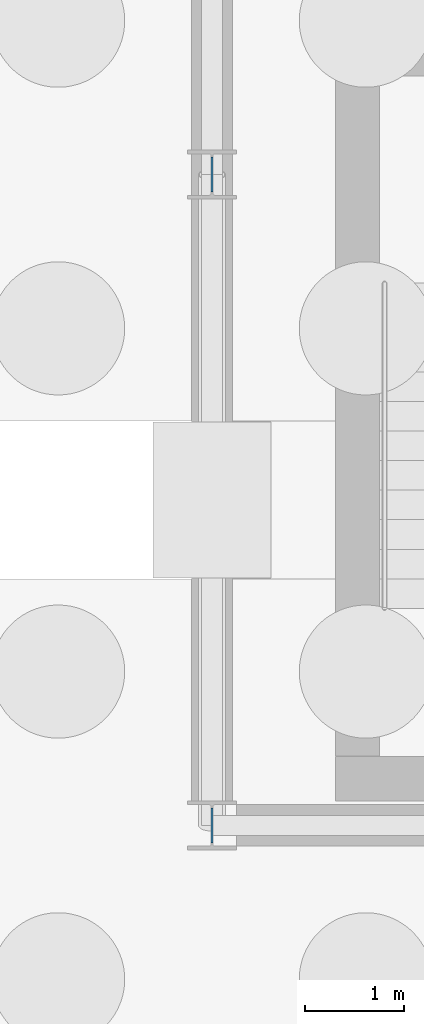
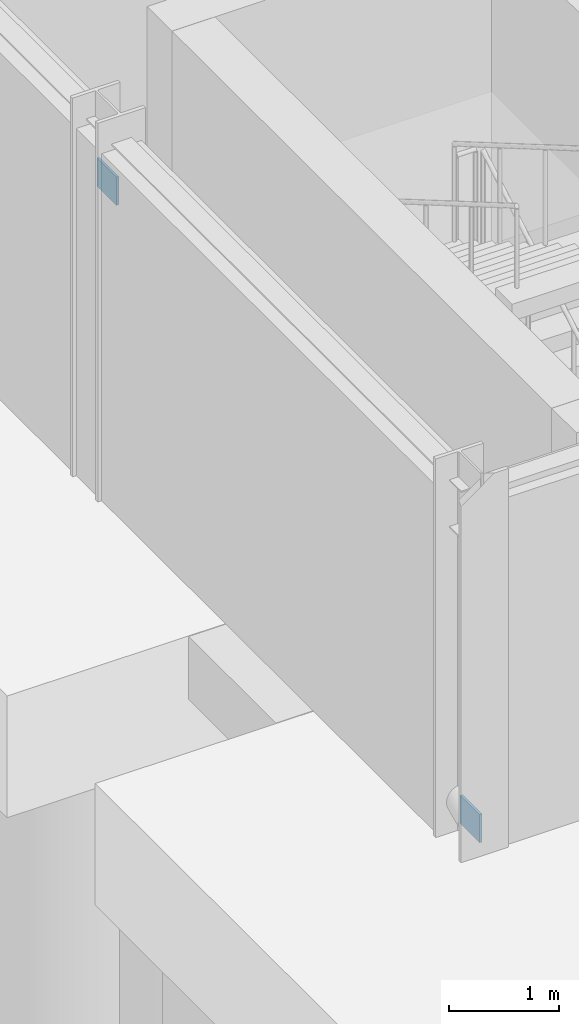
# One storey, part 35 of 58: 2 plates.
"""IFC4 building model written with IfcOpenShell, lengths in metres."""

import ifcopenshell
import ifcopenshell.guid

model = None  # the IFC model being written
_history = None  # IfcOwnerHistory: only IFC2X3 demands one
_inside = {}  # id of a spatial element -> (the spatial element, [elements in it])
_under = {}  # id of a project, library or spatial element -> (it, [spatial elements below it])
_declared = {}  # id of a project -> (the project, [libraries it declares])
_typed = {}  # id of a type object -> (the type object, [elements of that type])
_made_of = {}  # id of a material, layer set ... -> (it, [elements and type objects made of it])


def new_model(schema):
    """Start an empty IFC model of exactly this schema.

    Asked for "IFC4X3", IfcOpenShell would pick the latest addendum, in which some entities
    have other attributes; the version numbers below select the first issue.
    IFC2X3 requires an IfcOwnerHistory on every rooted entity: one is made here for all.
    """
    global model, _history
    if schema == "IFC4X3":
        model = ifcopenshell.file(schema_version=(4, 3, 0, 0))
    else:
        model = ifcopenshell.file(schema=schema)
    _inside.clear()
    _under.clear()
    _declared.clear()
    _typed.clear()
    _made_of.clear()
    _history = None
    if model.schema == "IFC2X3":
        org = make("IfcOrganization", Name="unknown")
        user = make(
            "IfcPersonAndOrganization",
            ThePerson=make("IfcPerson", FamilyName="unknown"),
            TheOrganization=org,
        )
        app = make(
            "IfcApplication",
            ApplicationDeveloper=org,
            Version="unknown",
            ApplicationFullName="unknown",
            ApplicationIdentifier="unknown",
        )
        _history = make(
            "IfcOwnerHistory",
            OwningUser=user,
            OwningApplication=app,
            ChangeAction="ADDED",
            CreationDate=0,
        )
    return model


def make(cls, **values):
    """One entity of the class cls with the attributes given. An attribute that is None is left unset."""
    return model.create_entity(
        cls, **{name: value for name, value in values.items() if value is not None}
    )


def rooted(cls, **values):
    """An entity with a GlobalId (a new one), such as an element, a storey or a relation."""
    return make(cls, GlobalId=ifcopenshell.guid.new(), OwnerHistory=_history, **values)


def si_unit(unit_type, name, prefix=None):
    """IfcSIUnit, for example si_unit("LENGTHUNIT", "METRE", prefix="MILLI")."""
    return make("IfcSIUnit", UnitType=unit_type, Prefix=prefix, Name=name)


def assignment(units):
    """IfcUnitAssignment: the units of a project."""
    return None if units is None else make("IfcUnitAssignment", Units=units)


def point(xyz):
    """IfcCartesianPoint."""
    return None if xyz is None else make("IfcCartesianPoint", Coordinates=xyz)


def direction(xyz):
    """IfcDirection."""
    return None if xyz is None else make("IfcDirection", DirectionRatios=xyz)


def frame(location, z_axis=None, x_axis=None):
    """IfcAxis2Placement3D, a coordinate frame: its origin and axes. An axis left out is left unset."""
    return make(
        "IfcAxis2Placement3D",
        Location=point(location),
        Axis=direction(z_axis),
        RefDirection=direction(x_axis),
    )


def frame_2d(location, x_axis=None):
    """IfcAxis2Placement2D, a coordinate frame in the plane: its origin and x axis."""
    return make(
        "IfcAxis2Placement2D", Location=point(location), RefDirection=direction(x_axis)
    )


def origin():
    """The frame at (0, 0, 0) with its axes left unset."""
    return frame((0.0, 0.0, 0.0))


def origin_2d():
    """The frame at (0, 0) in the plane with its x axis left unset."""
    return frame_2d((0.0, 0.0))


def place(relative_to, where):
    """IfcLocalPlacement: puts the frame where relative to a parent placement (None: the world)."""
    return make(
        "IfcLocalPlacement", PlacementRelTo=relative_to, RelativePlacement=where
    )


def context(
    kind, dimensions, precision=None, world=None, true_north=None, identifier=None
):
    """IfcGeometricRepresentationContext, for example the 3D "Model" context."""
    return make(
        "IfcGeometricRepresentationContext",
        ContextIdentifier=identifier,
        ContextType=kind,
        CoordinateSpaceDimension=dimensions,
        Precision=precision,
        WorldCoordinateSystem=world,
        TrueNorth=true_north,
    )


def subcontext(parent, identifier, kind, view, scale=None):
    """IfcGeometricRepresentationSubContext, for example "Body" below "Model"."""
    return make(
        "IfcGeometricRepresentationSubContext",
        ContextIdentifier=identifier,
        ContextType=kind,
        ParentContext=parent,
        TargetScale=scale,
        TargetView=view,
    )


def project(units=None, contexts=None):
    """IfcProject with its units and contexts."""
    return rooted(
        "IfcProject",
        Name="project",
        RepresentationContexts=contexts,
        UnitsInContext=assignment(units),
    )


def spatial(cls, under=None, at=None, **own):
    """A site, building, storey or space (cls), placed at a placement, below another one or the project."""
    s = rooted(cls, ObjectPlacement=at, **own)
    if under is not None:
        _under.setdefault(under.id(), (under, []))[1].append(s)
    return s


def profile(cls, at=None, kind="AREA", **sizes):
    """A parametric profile (cls). Its sizes go by their IFC names, for example OverallWidth=200.0."""
    return make(cls, ProfileType=kind, Position=at, **sizes)


def rectangle(**sizes):
    """IfcRectangleProfileDef."""
    return profile("IfcRectangleProfileDef", **sizes)


def extrude(swept, where, along, depth):
    """IfcExtrudedAreaSolid: the profile swept, set in the frame where, extruded along a direction by depth."""
    return make(
        "IfcExtrudedAreaSolid",
        SweptArea=swept,
        Position=where,
        ExtrudedDirection=direction(along),
        Depth=depth,
    )


def shape(context_of_items, identifier, shape_type, items):
    """IfcShapeRepresentation: the items that make up one representation, for example the "Body"."""
    return make(
        "IfcShapeRepresentation",
        ContextOfItems=context_of_items,
        RepresentationIdentifier=identifier,
        RepresentationType=shape_type,
        Items=items,
    )


def material(Name=None, Category=None):
    """IfcMaterial."""
    return make("IfcMaterial", Name=Name, Category=Category)


def layer(
    of_material, thickness, ventilated=None, Name=None, Category=None, Priority=None
):
    """IfcMaterialLayer: one layer of a wall or slab, of a material (None: an air gap)."""
    return make(
        "IfcMaterialLayer",
        Material=of_material,
        LayerThickness=thickness,
        IsVentilated=ventilated,
        Name=Name,
        Category=Category,
        Priority=Priority,
    )


def layer_set(layers, Name=None):
    """IfcMaterialLayerSet."""
    return make("IfcMaterialLayerSet", MaterialLayers=layers, LayerSetName=Name)


def made_of(thing, what):
    """Note that an element or type object is made of a material, layer set ...; save() writes the relation."""
    if what is not None:
        _made_of.setdefault(what.id(), (what, []))[1].append(thing)
    return thing


def type_object(cls, material=None, **own):
    """A type object (cls), such as IfcWallType, which elements share."""
    return made_of(rooted(cls, **own), material)


def element(
    cls,
    number,
    at=None,
    inside=None,
    cuts=None,
    type_object=None,
    material=None,
    context=None,
    identifier="Body",
    shape_type=None,
    held_by="IfcProductDefinitionShape",
    body=None,
    shapes=None,
    **own,
):
    """One element of the class cls, such as IfcWall. Its Tag is "e" and its number.

    at: its placement. inside: the storey or other place that contains it. cuts: it is an
    opening in that element (IfcRelVoidsElement). A single representation is given by context,
    identifier, shape_type and body (its items); several are given by shapes. held_by: the class
    of the entity that holds the representations. save() writes the other relations.
    """
    e = rooted(cls, Tag="e%d" % number, ObjectPlacement=at, **own)
    if body is not None:
        shapes = [shape(context, identifier, shape_type, body)]
    if shapes is not None:
        e.Representation = make(held_by, Representations=shapes)
    if inside is not None:
        _inside.setdefault(inside.id(), (inside, []))[1].append(e)
    if cuts is not None:
        rooted(
            "IfcRelVoidsElement", RelatingBuildingElement=cuts, RelatedOpeningElement=e
        )
    if type_object is not None:
        _typed.setdefault(type_object.id(), (type_object, []))[1].append(e)
    return made_of(e, material)


def aggregate(whole, parts):
    """IfcRelAggregates: a whole, such as a stair, and the parts it consists of."""
    return rooted("IfcRelAggregates", RelatingObject=whole, RelatedObjects=parts)


def save(model, path):
    """Write the relations noted so far, then the file.

    IfcRelAggregates (storeys below a building ...), IfcRelContainedInSpatialStructure (elements
    in a storey), IfcRelDefinesByType, IfcRelAssociatesMaterial and IfcRelDeclares: one each for
    every whole, place, type object, material and project.
    """
    for whole, parts in _under.values():
        aggregate(whole, parts)
    for where, things in _inside.values():
        rooted(
            "IfcRelContainedInSpatialStructure",
            RelatedElements=things,
            RelatingStructure=where,
        )
    for kind, things in _typed.values():
        rooted("IfcRelDefinesByType", RelatedObjects=things, RelatingType=kind)
    for what, things in _made_of.values():
        rooted("IfcRelAssociatesMaterial", RelatedObjects=things, RelatingMaterial=what)
    for by, libraries in _declared.values():
        rooted("IfcRelDeclares", RelatingContext=by, RelatedDefinitions=libraries)
    model.write(path)


model = new_model("IFC4")

# Units and contexts
model_context = context("Model", 3, precision=1e-05, world=origin(), true_north=direction((0.0, 1.0)))
body_context = subcontext(model_context, "Body", "Model", "MODEL_VIEW")
ifc_project = project(units=[si_unit("LENGTHUNIT", "METRE"), si_unit("AREAUNIT", "SQUARE_METRE"), si_unit("VOLUMEUNIT", "CUBIC_METRE"), si_unit("PLANEANGLEUNIT", "RADIAN"), si_unit("MASSUNIT", "GRAM", prefix="KILO")], contexts=[model_context])

# Site, building, storey
site_placement = place(None, origin())
site = spatial("IfcSite", under=ifc_project, at=site_placement, CompositionType="ELEMENT")
building_placement = place(site_placement, origin())
building = spatial("IfcBuilding", under=site, at=building_placement, Name="Karori Crest Natural Sciences Institute", CompositionType="ELEMENT")
storey_placement = place(building_placement, frame((0.0, 0.0, -4.199951171875)))
storey = spatial("IfcBuildingStorey", under=building, at=storey_placement, Name="B1", CompositionType="ELEMENT", Elevation=-4.199951171875)

# Plates
ifc_material = material(Name="Structural steel AS/NZS 3679.1 Grade 350", Category="steel")
ifc_layer = layer(ifc_material, 0.02490234375, Name="Structural steel AS/NZS 3679.1 Grade 350")
ifc_layer_set = layer_set([ifc_layer], Name="Structural steel AS/NZS 3679.1 Grade 350")
plate_type = type_object("IfcPlateType", Name="PLT-06", PredefinedType="SHEET", material=ifc_layer_set)
for number, where, z_axis, x_axis, name in (
    (1, (103.60009765625, 0.800048828125, 0.093505859375), (0.0, 0.0, 1.0), (0.0, 1.0, 0.0), "Brace gusset plate EP-0384"),
    (2, (103.60009765625, 7.39990234375, 3.161376953125), (0.0, 0.0, 1.0), (0.0, 1.0, 0.0), "Brace gusset plate EP-0385"),
):
    element("IfcPlate", number, at=place(storey_placement, frame(where, z_axis=z_axis, x_axis=x_axis)), inside=storey, type_object=plate_type, Name=name, PredefinedType="SHEET", context=body_context, shape_type="SweptSolid", body=[
        extrude(rectangle(XDim=0.35302734375, YDim=0.02490234375, at=origin_2d()), origin(), (0.0, 0.0, 1.0), 0.31298828125),
    ])

save(model, "model.ifc")
